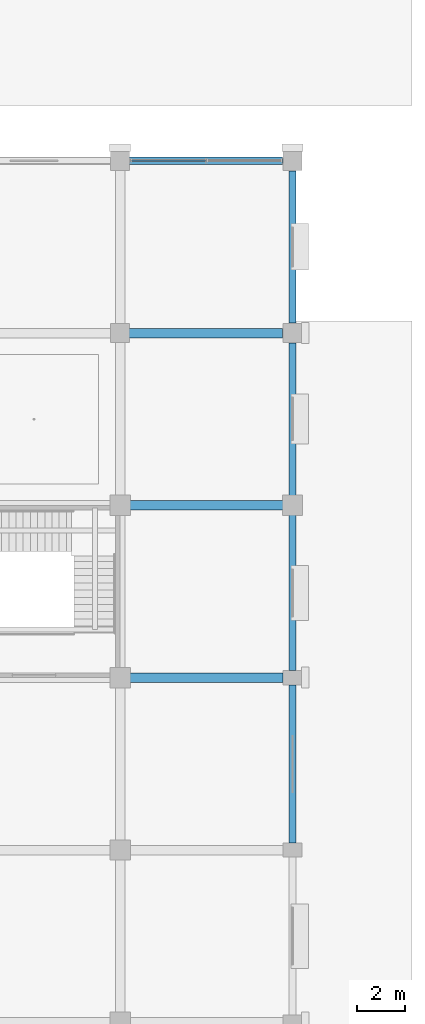
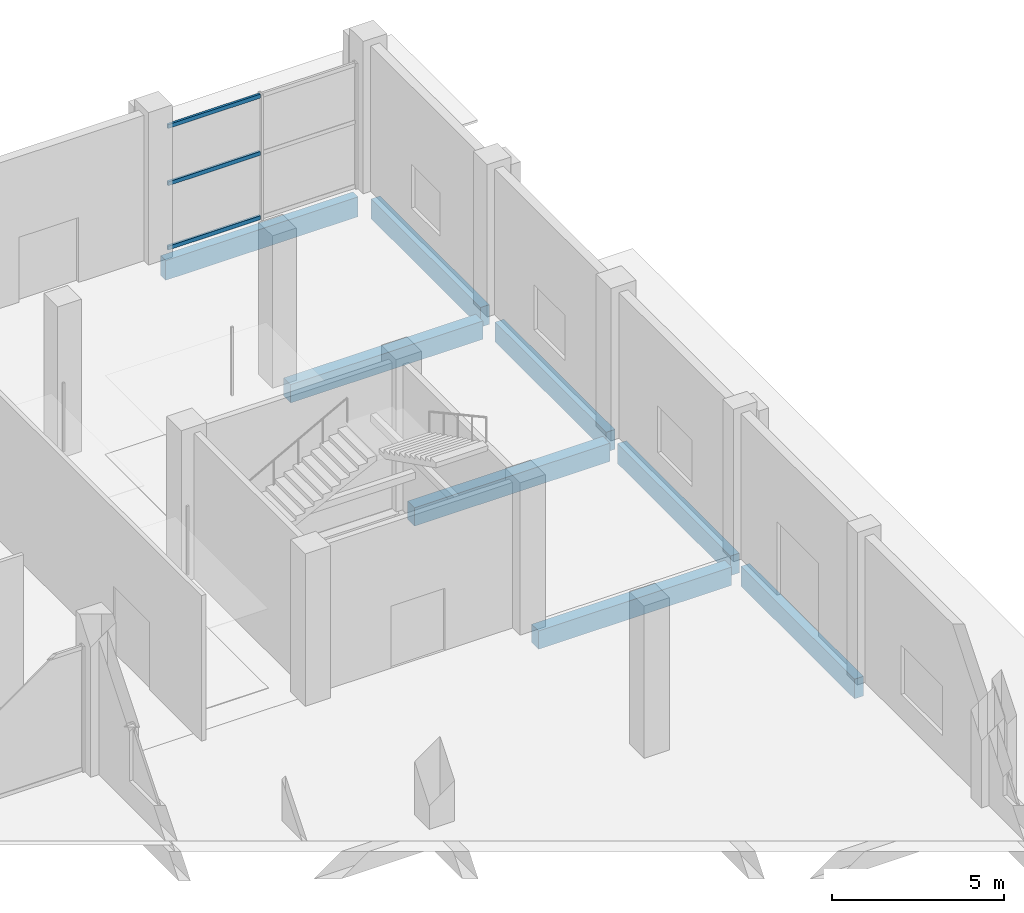
# One storey, part 50 of 90: 8 beams, 3 members, 1 element without a shape of its own.
"""IFC4 building model written with IfcOpenShell, lengths in metres."""

from ifc_helpers import new_model, si_unit, direction, frame, origin, origin_2d, place, context, subcontext, project, spatial, rectangle, hollow_rectangle, extrude, material, layer, layer_set, material_profile, profile_set, type_object, element, aggregate, save


model = new_model("IFC4")

# Units and contexts
model_context = context("Model", 3, precision=1e-05, world=origin(), true_north=direction((0.0, 1.0)))
body_context = subcontext(model_context, "Body", "Model", "MODEL_VIEW")
ifc_project = project(units=[si_unit("LENGTHUNIT", "METRE"), si_unit("AREAUNIT", "SQUARE_METRE"), si_unit("VOLUMEUNIT", "CUBIC_METRE"), si_unit("PLANEANGLEUNIT", "RADIAN"), si_unit("MASSUNIT", "GRAM", prefix="KILO")], contexts=[model_context])

# Site, building, storey
site_placement = place(None, origin())
site = spatial("IfcSite", under=ifc_project, at=site_placement, CompositionType="ELEMENT")
building_placement = place(site_placement, origin())
building = spatial("IfcBuilding", under=site, at=building_placement, Name="Kangsadwip Square Police Headquarters", CompositionType="ELEMENT")
storey_placement = place(building_placement, origin())
storey = spatial("IfcBuildingStorey", under=building, at=storey_placement, Name="L00", CompositionType="ELEMENT", Elevation=0.0)

# Curtain wall, members
ifc_material_1 = material(Name="Thermally broken anodised aluminium AW-6063-T6", Category="aluminium")
ifc_layer = layer(ifc_material_1, 0.159912109375)
ifc_layer_set = layer_set([ifc_layer], Name="Thermally broken anodised aluminium AW-6063-T6")
curtain_wall_type = type_object("IfcCurtainWallType", Name="UnitisedCw6410x4450", PredefinedType="NOTDEFINED", material=ifc_layer_set)
curtain_wall_placement = place(storey_placement, origin())
curtain_wall = element("IfcCurtainWall", 1, at=curtain_wall_placement, inside=storey, type_object=curtain_wall_type, Name="Curtain Wall CW-L00-1588-1152", PredefinedType="NOTDEFINED")
ifc_material_2 = material(Name="Thermally broken anodised aluminium AW-6063-T6", Category="aluminium")
ifc_material_profile_1 = material_profile(ifc_material_2, hollow_rectangle(XDim=0.074951171875, YDim=0.139892578125, WallThickness=0.0048828125, at=origin_2d()), Name="CWT 140X75X5")
ifc_profile_set_1 = profile_set([ifc_material_profile_1], Name="Thermally broken anodised aluminium AW-6063-T6")
member_type = type_object("IfcMemberType", Name="CwTransom160x65", PredefinedType="USERDEFINED", material=ifc_profile_set_1)
member_1_placement = place(storey_placement, frame((158.8701171875, 115.199951171875, 0.070068359375), z_axis=(1.0, 0.0, 0.0), x_axis=(0.0, 1.0, 0.0)))
member_1 = element("IfcMember", 2, at=member_1_placement, type_object=member_type, Name="CW-12 transom 1.1", ObjectType="TRANSOM", PredefinedType="USERDEFINED", context=body_context, shape_type="SweptSolid", body=[
    extrude(hollow_rectangle(XDim=0.074951171875, YDim=0.139892578125, WallThickness=0.0048828125, at=origin_2d()), origin(), (0.0, 0.0, 1.0), 3.09228515625),
])
member_2_placement = place(storey_placement, frame((158.8701171875, 115.199951171875, 2.35009765625), z_axis=(1.0, 0.0, 0.0), x_axis=(0.0, 1.0, 0.0)))
member_2 = element("IfcMember", 3, at=member_2_placement, type_object=member_type, Name="CW-12 transom 1.2", ObjectType="TRANSOM", PredefinedType="USERDEFINED", context=body_context, shape_type="SweptSolid", body=[
    extrude(hollow_rectangle(XDim=0.074951171875, YDim=0.139892578125, WallThickness=0.0048828125, at=origin_2d()), origin(), (0.0, 0.0, 1.0), 3.09228515625),
])
member_3_placement = place(storey_placement, frame((158.8701171875, 115.199951171875, 4.3798828125), z_axis=(1.0, 0.0, 0.0), x_axis=(0.0, 1.0, 0.0)))
member_3 = element("IfcMember", 4, at=member_3_placement, type_object=member_type, Name="CW-12 transom 1.3", ObjectType="TRANSOM", PredefinedType="USERDEFINED", context=body_context, shape_type="SweptSolid", body=[
    extrude(hollow_rectangle(XDim=0.074951171875, YDim=0.139892578125, WallThickness=0.0048828125, at=origin_2d()), origin(), (0.0, 0.0, 1.0), 3.09228515625),
])
aggregate(curtain_wall, [member_1, member_2, member_3])

# Beams
ifc_material_3 = material(Name="Concrete M35 (35 MPa)", Category="concrete")
ifc_material_profile_2 = material_profile(ifc_material_3, rectangle(XDim=0.39990234375, YDim=0.64990234375, at=origin_2d()), Name="RC BM 650X400")
ifc_profile_set_2 = profile_set([ifc_material_profile_2], Name="Concrete M35 (35 MPa)")
beam_type_1 = type_object("IfcBeamType", Name="RcBeam650x400", PredefinedType="BEAM", material=ifc_profile_set_2)
beam_1_placement = place(storey_placement, frame((158.72509765625, 93.60009765625, -0.574951171875), z_axis=(1.0, 0.0, 0.0), x_axis=(0.0, 1.0, 0.0)))
element("IfcBeam", 5, at=beam_1_placement, inside=storey, type_object=beam_type_1, Name="Beam BM-L00-X-22-13", PredefinedType="BEAM", context=body_context, shape_type="SweptSolid", body=[
    extrude(rectangle(XDim=0.39990234375, YDim=0.64990234375, at=origin_2d()), origin(), (0.0, 0.0, 1.0), 6.474853515625),
])
beam_2_placement = place(storey_placement, frame((158.72509765625, 100.800048828125, -0.574951171875), z_axis=(1.0, 0.0, 0.0), x_axis=(0.0, 1.0, 0.0)))
element("IfcBeam", 6, at=beam_2_placement, inside=storey, type_object=beam_type_1, Name="Beam BM-L00-X-22-14", PredefinedType="BEAM", context=body_context, shape_type="SweptSolid", body=[
    extrude(rectangle(XDim=0.39990234375, YDim=0.64990234375, at=origin_2d()), origin(), (0.0, 0.0, 1.0), 6.5498046875),
])
beam_3_placement = place(storey_placement, frame((158.72509765625, 108.0, -0.574951171875), z_axis=(1.0, 0.0, 0.0), x_axis=(0.0, 1.0, 0.0)))
element("IfcBeam", 7, at=beam_3_placement, inside=storey, type_object=beam_type_1, Name="Beam BM-L00-X-22-15", PredefinedType="BEAM", context=body_context, shape_type="SweptSolid", body=[
    extrude(rectangle(XDim=0.39990234375, YDim=0.64990234375, at=origin_2d()), origin(), (0.0, 0.0, 1.0), 6.449951171875),
])
ifc_material_4 = material(Name="Concrete M40 (40 MPa)", Category="concrete")
ifc_material_profile_3 = material_profile(ifc_material_4, rectangle(XDim=0.300048828125, YDim=0.699951171875, at=origin_2d()), Name="RC SPN 700X300")
ifc_profile_set_3 = profile_set([ifc_material_profile_3], Name="Concrete M40 (40 MPa)")
beam_type_2 = type_object("IfcBeamType", Name="RcSpandrel700x300", PredefinedType="SPANDREL", material=ifc_profile_set_3)
beam_4_placement = place(storey_placement, frame((158.72509765625, 115.199951171875, -0.60009765625), z_axis=(1.0, 0.0, 0.0), x_axis=(0.0, 1.0, 0.0)))
element("IfcBeam", 8, at=beam_4_placement, inside=storey, type_object=beam_type_2, Name="Beam BM-L00-X-22-16", PredefinedType="SPANDREL", context=body_context, shape_type="SweptSolid", body=[
    extrude(rectangle(XDim=0.300048828125, YDim=0.699951171875, at=origin_2d()), origin(), (0.0, 0.0, 1.0), 6.449951171875),
])
beam_5_placement = place(storey_placement, frame((165.60009765625, 86.699951171875, -0.60009765625), z_axis=(0.0, 1.0, 0.0), x_axis=(-1.0, 0.0, 0.0)))
element("IfcBeam", 9, at=beam_5_placement, inside=storey, type_object=beam_type_2, Name="Beam BM-L00-Y-23-12", PredefinedType="SPANDREL", context=body_context, shape_type="SweptSolid", body=[
    extrude(rectangle(XDim=0.300048828125, YDim=0.699951171875, at=origin_2d()), origin(), (0.0, 0.0, 1.0), 6.60009765625),
])
beam_6_placement = place(storey_placement, frame((165.60009765625, 93.89990234375, -0.60009765625), z_axis=(0.0, 1.0, 0.0), x_axis=(-1.0, 0.0, 0.0)))
element("IfcBeam", 10, at=beam_6_placement, inside=storey, type_object=beam_type_2, Name="Beam BM-L00-Y-23-13", PredefinedType="SPANDREL", context=body_context, shape_type="SweptSolid", body=[
    extrude(rectangle(XDim=0.300048828125, YDim=0.699951171875, at=origin_2d()), origin(), (0.0, 0.0, 1.0), 6.5751953125),
])
beam_7_placement = place(storey_placement, frame((165.60009765625, 101.125, -0.60009765625), z_axis=(0.0, 1.0, 0.0), x_axis=(-1.0, 0.0, 0.0)))
element("IfcBeam", 11, at=beam_7_placement, inside=storey, type_object=beam_type_2, Name="Beam BM-L00-Y-23-14", PredefinedType="SPANDREL", context=body_context, shape_type="SweptSolid", body=[
    extrude(rectangle(XDim=0.300048828125, YDim=0.699951171875, at=origin_2d()), origin(), (0.0, 0.0, 1.0), 6.449951171875),
])
beam_8_placement = place(storey_placement, frame((165.60009765625, 108.425048828125, -0.60009765625), z_axis=(0.0, 1.0, 0.0), x_axis=(-1.0, 0.0, 0.0)))
element("IfcBeam", 12, at=beam_8_placement, inside=storey, type_object=beam_type_2, Name="Beam BM-L00-Y-23-15", PredefinedType="SPANDREL", context=body_context, shape_type="SweptSolid", body=[
    extrude(rectangle(XDim=0.300048828125, YDim=0.699951171875, at=origin_2d()), origin(), (0.0, 0.0, 1.0), 6.349853515625),
])

save(model, "model.ifc")
